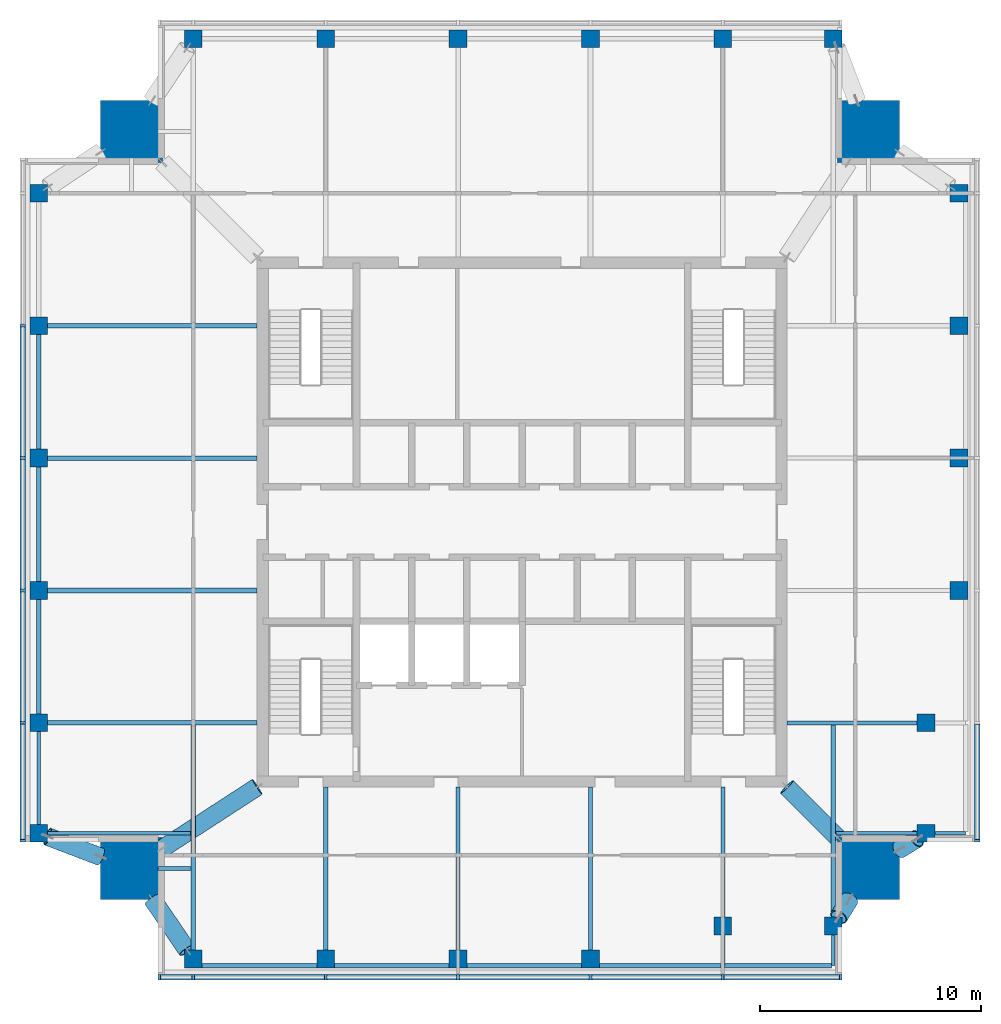
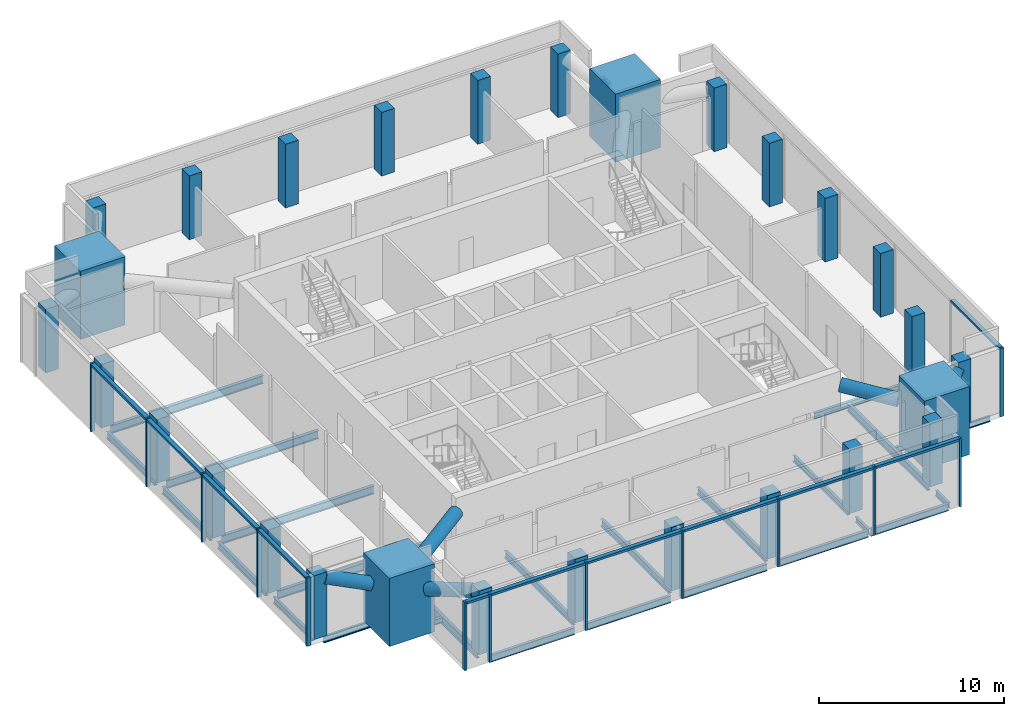
# One storey, part 1 of 11: 30 members, 28 columns, 26 beams, 3 elements without a shape of their own.
"""IFC4 building model written with IfcOpenShell, lengths in metres."""

from ifc_helpers import new_model, si_unit, direction, frame, origin, origin_2d, place, context, subcontext, project, spatial, rectangle, hollow_circle, i_section, extrude, material, material_profile, profile_set, type_object, element, aggregate, save


model = new_model("IFC4")

# Units and contexts
model_context = context("Model", 3, precision=1e-05, world=origin(), true_north=direction((0.0, 1.0)))
body_context = subcontext(model_context, "Body", "Model", "MODEL_VIEW")
ifc_project = project(units=[si_unit("LENGTHUNIT", "METRE"), si_unit("AREAUNIT", "SQUARE_METRE"), si_unit("VOLUMEUNIT", "CUBIC_METRE"), si_unit("PLANEANGLEUNIT", "RADIAN"), si_unit("MASSUNIT", "GRAM", prefix="KILO")], contexts=[model_context])

# Site, building, storey
site_placement = place(None, origin())
site = spatial("IfcSite", under=ifc_project, at=site_placement, CompositionType="ELEMENT")
building_placement = place(site_placement, origin())
building = spatial("IfcBuilding", under=site, at=building_placement, Name="Amberfall Residences", CompositionType="ELEMENT")
storey_placement = place(building_placement, frame((0.0, 0.0, 286.300048828125)))
storey = spatial("IfcBuildingStorey", under=building, at=storey_placement, Name="L77 Crown", CompositionType="ELEMENT", Elevation=286.300048828125)

# Columns
ifc_material_1 = material(Name="Concrete C50", Category="concrete")
ifc_material_profile_1 = material_profile(ifc_material_1, rectangle(XDim=0.800048828125, YDim=0.800048828125, at=origin_2d()), Name="Column 800 x 800 C50")
ifc_profile_set_1 = profile_set([ifc_material_profile_1], Name="Concrete C50")
column_type_1 = type_object("IfcColumnType", Name="Column 800 x 800 C50", PredefinedType="COLUMN", material=ifc_profile_set_1)
for number, where, z_axis, x_axis, name in (
    (1, (59.60009765625, 25.699951171875, 0.0), (0.0, 0.0, 1.0), (1.0, 0.0, 0.0), "Column C5 L77 Crown S1"),
    (2, (65.60009765625, 25.699951171875, 0.0), (0.0, 0.0, 1.0), (1.0, 0.0, 0.0), "Column C5 L77 Crown S2"),
    (3, (71.60009765625, 25.699951171875, 0.0), (0.0, 0.0, 1.0), (1.0, 0.0, 0.0), "Column C5 L77 Crown S3"),
    (4, (77.60009765625, 25.699951171875, 0.0), (0.0, 0.0, 1.0), (1.0, 0.0, 0.0), "Column C5 L77 Crown S4"),
    (5, (83.60009765625, 27.199951171875, 0.0), (0.0, 0.0, 1.0), (1.0, 0.0, 0.0), "Column C5 L77 Crown S5"),
    (6, (88.60009765625, 27.199951171875, 0.0), (0.0, 0.0, 1.0), (1.0, 0.0, 0.0), "Column C5 L77 Crown S6"),
    (7, (92.800048828125, 31.39990234375, 0.0), (0.0, 0.0, 1.0), (1.0, 0.0, 0.0), "Column C5 L77 Crown E1"),
    (8, (92.800048828125, 36.39990234375, 0.0), (0.0, 0.0, 1.0), (1.0, 0.0, 0.0), "Column C5 L77 Crown E2"),
    (9, (94.300048828125, 42.39990234375, 0.0), (0.0, 0.0, 1.0), (1.0, 0.0, 0.0), "Column C5 L77 Crown E3"),
    (10, (94.300048828125, 48.39990234375, 0.0), (0.0, 0.0, 1.0), (1.0, 0.0, 0.0), "Column C5 L77 Crown E4"),
    (11, (94.300048828125, 54.39990234375, 0.0), (0.0, 0.0, 1.0), (1.0, 0.0, 0.0), "Column C5 L77 Crown E5"),
    (12, (94.300048828125, 60.39990234375, 0.0), (0.0, 0.0, 1.0), (1.0, 0.0, 0.0), "Column C5 L77 Crown E6"),
    (13, (59.60009765625, 67.39990234375, 0.0), (0.0, 0.0, 1.0), (1.0, 0.0, 0.0), "Column C5 L77 Crown N1"),
    (14, (65.60009765625, 67.39990234375, 0.0), (0.0, 0.0, 1.0), (1.0, 0.0, 0.0), "Column C5 L77 Crown N2"),
    (15, (71.60009765625, 67.39990234375, 0.0), (0.0, 0.0, 1.0), (1.0, 0.0, 0.0), "Column C5 L77 Crown N3"),
    (16, (77.60009765625, 67.39990234375, 0.0), (0.0, 0.0, 1.0), (1.0, 0.0, 0.0), "Column C5 L77 Crown N4"),
    (17, (83.60009765625, 67.39990234375, 0.0), (0.0, 0.0, 1.0), (1.0, 0.0, 0.0), "Column C5 L77 Crown N5"),
    (18, (88.60009765625, 67.39990234375, 0.0), (0.0, 0.0, 1.0), (1.0, 0.0, 0.0), "Column C5 L77 Crown N6"),
    (19, (52.60009765625, 31.39990234375, 0.0), (0.0, 0.0, 1.0), (1.0, 0.0, 0.0), "Column C5 L77 Crown W1"),
    (20, (52.60009765625, 36.39990234375, 0.0), (0.0, 0.0, 1.0), (1.0, 0.0, 0.0), "Column C5 L77 Crown W2"),
    (21, (52.60009765625, 42.39990234375, 0.0), (0.0, 0.0, 1.0), (1.0, 0.0, 0.0), "Column C5 L77 Crown W3"),
    (22, (52.60009765625, 48.39990234375, 0.0), (0.0, 0.0, 1.0), (1.0, 0.0, 0.0), "Column C5 L77 Crown W4"),
    (23, (52.60009765625, 54.39990234375, 0.0), (0.0, 0.0, 1.0), (1.0, 0.0, 0.0), "Column C5 L77 Crown W5"),
    (24, (52.60009765625, 60.39990234375, 0.0), (0.0, 0.0, 1.0), (1.0, 0.0, 0.0), "Column C5 L77 Crown W6"),
):
    element("IfcColumn", number, at=place(storey_placement, frame(where, z_axis=z_axis, x_axis=x_axis)), inside=storey, type_object=column_type_1, Name=name, PredefinedType="COLUMN", context=body_context, shape_type="SweptSolid", body=[
        extrude(rectangle(XDim=0.800048828125, YDim=0.800048828125, at=origin_2d()), origin(), (0.0, 0.0, 1.0), 4.199951171875),
    ])
ifc_material_profile_2 = material_profile(ifc_material_1, rectangle(XDim=2.800048828125, YDim=2.800048828125, at=origin_2d()), Name="Mega capital 2800 x 2800 C50")
ifc_profile_set_2 = profile_set([ifc_material_profile_2], Name="Concrete C50")
column_type_2 = type_object("IfcColumnType", Name="Mega capital 2800 x 2800 C50", PredefinedType="COLUMN", material=ifc_profile_set_2)
for number, where, z_axis, x_axis, name in (
    (25, (56.800048828125, 29.800048828125, 0.0), (0.0, 0.0, 1.0), (1.0, 0.0, 0.0), "Mega capital MCP1 L77 Crown SW"),
    (26, (90.199951171875, 29.800048828125, 0.0), (0.0, 0.0, 1.0), (1.0, 0.0, 0.0), "Mega capital MCP1 L77 Crown SE"),
    (27, (90.199951171875, 63.199951171875, 0.0), (0.0, 0.0, 1.0), (1.0, 0.0, 0.0), "Mega capital MCP1 L77 Crown NE"),
    (28, (56.800048828125, 63.199951171875, 0.0), (0.0, 0.0, 1.0), (1.0, 0.0, 0.0), "Mega capital MCP1 L77 Crown NW"),
):
    element("IfcColumn", number, at=place(storey_placement, frame(where, z_axis=z_axis, x_axis=x_axis)), inside=storey, type_object=column_type_2, Name=name, PredefinedType="COLUMN", context=body_context, shape_type="SweptSolid", body=[
        extrude(rectangle(XDim=2.800048828125, YDim=2.800048828125, at=origin_2d()), origin(), (0.0, 0.0, 1.0), 4.5),
    ])

# Members
ifc_material_2 = material(Name="Steel S355", Category="steel")
ifc_material_profile_3 = material_profile(ifc_material_2, hollow_circle(Radius=0.406494140625, WallThickness=0.050048828125, at=origin_2d()), Name="CHS 813x50")
ifc_profile_set_3 = profile_set([ifc_material_profile_3], Name="Steel S355")
member_type_1 = type_object("IfcMemberType", Name="Belt truss diagonal BT CHS 813x50", PredefinedType="BRACE", material=ifc_profile_set_3)
member_1_placement = place(storey_placement, frame((57.756103515625, 28.39990234375, 3.0), z_axis=(0.544967582392, -0.797885394177, 0.257661079521), x_axis=(0.825767125082, 0.564011218979, 0.0)))
element("IfcMember", 29, at=member_1_placement, inside=storey, type_object=member_type_1, Name="Belt truss diagonal BT5 L77 Crown SWS", PredefinedType="BRACE", context=body_context, shape_type="SweptSolid", body=[
    extrude(hollow_circle(Radius=0.406494140625, WallThickness=0.050048828125, at=origin_2d()), origin(), (0.0, 0.0, 1.0), 2.88232421875),
])
member_2_placement = place(storey_placement, frame((55.39990234375, 30.333251953125, 3.0), z_axis=(-0.897697470437, 0.342001732125, 0.277802208044), x_axis=(-0.356015093317, -0.934480204889, 0.0)))
element("IfcMember", 30, at=member_2_placement, inside=storey, type_object=member_type_1, Name="Belt truss diagonal BT5 L77 Crown SWW", PredefinedType="BRACE", context=body_context, shape_type="SweptSolid", body=[
    extrude(hollow_circle(Radius=0.406494140625, WallThickness=0.050048828125, at=origin_2d()), origin(), (0.0, 0.0, 1.0), 2.67333984375),
])
for number, where, z_axis, x_axis, name in (
    (31, (89.33837890625, 28.39990234375, 3.0), (-0.411084609602, -0.668012490603, 0.620297312703), (0.851658316705, -0.524097425664, 0.0), "Belt truss diagonal BT5 L77 Crown SES"),
    (32, (91.60009765625, 30.66162109375, 3.0), (0.668012490603, 0.411084609602, 0.620297312703), (-0.524097425664, 0.851658316705, 0.0), "Belt truss diagonal BT5 L77 Crown SEE"),
):
    element("IfcMember", number, at=place(storey_placement, frame(where, z_axis=z_axis, x_axis=x_axis)), inside=storey, type_object=member_type_1, Name=name, PredefinedType="BRACE", context=body_context, shape_type="SweptSolid", body=[
        extrude(hollow_circle(Radius=0.406494140625, WallThickness=0.050048828125, at=origin_2d()), origin(), (0.0, 0.0, 1.0), 1.197265625),
    ])

# Curtain wall, members
ifc_material_3 = material(Name="Bronze anodised aluminium and glass", Category="aluminium")
curtain_wall_type = type_object("IfcCurtainWallType", Name="Curtain wall CW6 crown louvre", PredefinedType="USERDEFINED", material=ifc_material_3)
curtain_wall_1_placement = place(storey_placement, origin())
curtain_wall_1 = element("IfcCurtainWall", 33, at=curtain_wall_1_placement, inside=storey, type_object=curtain_wall_type, Name="Curtain wall L77 Crown S S1", ObjectType="UNITISED CURTAIN WALL", PredefinedType="USERDEFINED")
ifc_material_4 = material(Name="Bronze anodised aluminium", Category="aluminium")
ifc_material_profile_4 = material_profile(ifc_material_4, rectangle(XDim=0.25, YDim=0.1201171875, at=origin_2d()), Name="CW6 mullion 120 x 250 bronze")
ifc_profile_set_4 = profile_set([ifc_material_profile_4], Name="Bronze anodised aluminium")
member_type_2 = type_object("IfcMemberType", Name="CW6 mullion 120 x 250 bronze", PredefinedType="MULLION", material=ifc_profile_set_4)
member_3_placement = place(storey_placement, frame((58.06005859375, 24.875, -0.300048828125), z_axis=(0.0, 0.0, 1.0), x_axis=(0.0, 1.0, 0.0)))
member_3 = element("IfcMember", 34, at=member_3_placement, type_object=member_type_2, Name="CW6 mullion 1", PredefinedType="MULLION", context=body_context, shape_type="SweptSolid", body=[
    extrude(rectangle(XDim=0.25, YDim=0.1201171875, at=origin_2d()), origin(), (0.0, 0.0, 1.0), 4.5),
])
member_4_placement = place(storey_placement, frame((59.60009765625, 24.875, -0.300048828125), z_axis=(0.0, 0.0, 1.0), x_axis=(0.0, 1.0, 0.0)))
member_4 = element("IfcMember", 35, at=member_4_placement, type_object=member_type_2, Name="CW6 mullion 2", PredefinedType="MULLION", context=body_context, shape_type="SweptSolid", body=[
    extrude(rectangle(XDim=0.25, YDim=0.1201171875, at=origin_2d()), origin(), (0.0, 0.0, 1.0), 4.5),
])
member_5_placement = place(storey_placement, frame((65.60009765625, 24.875, -0.300048828125), z_axis=(0.0, 0.0, 1.0), x_axis=(0.0, 1.0, 0.0)))
member_5 = element("IfcMember", 36, at=member_5_placement, type_object=member_type_2, Name="CW6 mullion 3", PredefinedType="MULLION", context=body_context, shape_type="SweptSolid", body=[
    extrude(rectangle(XDim=0.25, YDim=0.1201171875, at=origin_2d()), origin(), (0.0, 0.0, 1.0), 4.5),
])
member_6_placement = place(storey_placement, frame((71.60009765625, 24.875, -0.300048828125), z_axis=(0.0, 0.0, 1.0), x_axis=(0.0, 1.0, 0.0)))
member_6 = element("IfcMember", 37, at=member_6_placement, type_object=member_type_2, Name="CW6 mullion 4", PredefinedType="MULLION", context=body_context, shape_type="SweptSolid", body=[
    extrude(rectangle(XDim=0.25, YDim=0.1201171875, at=origin_2d()), origin(), (0.0, 0.0, 1.0), 4.5),
])
member_7_placement = place(storey_placement, frame((77.60009765625, 24.875, -0.300048828125), z_axis=(0.0, 0.0, 1.0), x_axis=(0.0, 1.0, 0.0)))
member_7 = element("IfcMember", 38, at=member_7_placement, type_object=member_type_2, Name="CW6 mullion 5", PredefinedType="MULLION", context=body_context, shape_type="SweptSolid", body=[
    extrude(rectangle(XDim=0.25, YDim=0.1201171875, at=origin_2d()), origin(), (0.0, 0.0, 1.0), 4.5),
])
member_8_placement = place(storey_placement, frame((83.60009765625, 24.875, -0.300048828125), z_axis=(0.0, 0.0, 1.0), x_axis=(0.0, 1.0, 0.0)))
member_8 = element("IfcMember", 39, at=member_8_placement, type_object=member_type_2, Name="CW6 mullion 6", PredefinedType="MULLION", context=body_context, shape_type="SweptSolid", body=[
    extrude(rectangle(XDim=0.25, YDim=0.1201171875, at=origin_2d()), origin(), (0.0, 0.0, 1.0), 4.5),
])
member_9_placement = place(storey_placement, frame((88.93994140625, 24.875, -0.300048828125), z_axis=(0.0, 0.0, 1.0), x_axis=(0.0, 1.0, 0.0)))
member_9 = element("IfcMember", 40, at=member_9_placement, type_object=member_type_2, Name="CW6 mullion 7", PredefinedType="MULLION", context=body_context, shape_type="SweptSolid", body=[
    extrude(rectangle(XDim=0.25, YDim=0.1201171875, at=origin_2d()), origin(), (0.0, 0.0, 1.0), 4.5),
])

# Curtain wall, member
curtain_wall_2_placement = place(storey_placement, origin())
curtain_wall_2 = element("IfcCurtainWall", 41, at=curtain_wall_2_placement, inside=storey, type_object=curtain_wall_type, Name="Curtain wall L77 Crown E E1", ObjectType="UNITISED CURTAIN WALL", PredefinedType="USERDEFINED")
member_10_placement = place(storey_placement, frame((95.125, 31.06005859375, -0.300048828125), z_axis=(0.0, 0.0, 1.0), x_axis=(-1.0, 0.0, 0.0)))
member_10 = element("IfcMember", 42, at=member_10_placement, type_object=member_type_2, Name="CW6 mullion 1", PredefinedType="MULLION", context=body_context, shape_type="SweptSolid", body=[
    extrude(rectangle(XDim=0.25, YDim=0.1201171875, at=origin_2d()), origin(), (0.0, 0.0, 1.0), 4.5),
])

# Curtain wall, members
curtain_wall_3_placement = place(storey_placement, origin())
curtain_wall_3 = element("IfcCurtainWall", 43, at=curtain_wall_3_placement, inside=storey, type_object=curtain_wall_type, Name="Curtain wall L77 Crown W W1", ObjectType="UNITISED CURTAIN WALL", PredefinedType="USERDEFINED")
member_11_placement = place(storey_placement, frame((51.875, 54.39990234375, -0.300048828125), z_axis=(0.0, 0.0, 1.0), x_axis=(1.0, 0.0, 0.0)))
member_11 = element("IfcMember", 44, at=member_11_placement, type_object=member_type_2, Name="CW6 mullion 3", PredefinedType="MULLION", context=body_context, shape_type="SweptSolid", body=[
    extrude(rectangle(XDim=0.25, YDim=0.1201171875, at=origin_2d()), origin(), (0.0, 0.0, 1.0), 4.5),
])
member_12_placement = place(storey_placement, frame((51.875, 48.39990234375, -0.300048828125), z_axis=(0.0, 0.0, 1.0), x_axis=(1.0, 0.0, 0.0)))
member_12 = element("IfcMember", 45, at=member_12_placement, type_object=member_type_2, Name="CW6 mullion 4", PredefinedType="MULLION", context=body_context, shape_type="SweptSolid", body=[
    extrude(rectangle(XDim=0.25, YDim=0.1201171875, at=origin_2d()), origin(), (0.0, 0.0, 1.0), 4.5),
])
member_13_placement = place(storey_placement, frame((51.875, 42.39990234375, -0.300048828125), z_axis=(0.0, 0.0, 1.0), x_axis=(1.0, 0.0, 0.0)))
member_13 = element("IfcMember", 46, at=member_13_placement, type_object=member_type_2, Name="CW6 mullion 5", PredefinedType="MULLION", context=body_context, shape_type="SweptSolid", body=[
    extrude(rectangle(XDim=0.25, YDim=0.1201171875, at=origin_2d()), origin(), (0.0, 0.0, 1.0), 4.5),
])
member_14_placement = place(storey_placement, frame((51.875, 36.39990234375, -0.300048828125), z_axis=(0.0, 0.0, 1.0), x_axis=(1.0, 0.0, 0.0)))
member_14 = element("IfcMember", 47, at=member_14_placement, type_object=member_type_2, Name="CW6 mullion 6", PredefinedType="MULLION", context=body_context, shape_type="SweptSolid", body=[
    extrude(rectangle(XDim=0.25, YDim=0.1201171875, at=origin_2d()), origin(), (0.0, 0.0, 1.0), 4.5),
])
member_15_placement = place(storey_placement, frame((51.875, 31.06005859375, -0.300048828125), z_axis=(0.0, 0.0, 1.0), x_axis=(1.0, 0.0, 0.0)))
member_15 = element("IfcMember", 48, at=member_15_placement, type_object=member_type_2, Name="CW6 mullion 7", PredefinedType="MULLION", context=body_context, shape_type="SweptSolid", body=[
    extrude(rectangle(XDim=0.25, YDim=0.1201171875, at=origin_2d()), origin(), (0.0, 0.0, 1.0), 4.5),
])

# Member
ifc_material_profile_5 = material_profile(ifc_material_4, rectangle(XDim=0.25, YDim=0.14990234375, at=origin_2d()), Name="CW6 transom 250 x 150 bronze")
ifc_profile_set_5 = profile_set([ifc_material_profile_5], Name="Bronze anodised aluminium")
member_type_3 = type_object("IfcMemberType", Name="CW6 transom 250 x 150 bronze", PredefinedType="USERDEFINED", material=ifc_profile_set_5)
member_16_placement = place(storey_placement, frame((58.1201171875, 24.875, 4.125), z_axis=(1.0, 0.0, 0.0), x_axis=(0.0, 1.0, 0.0)))
member_16 = element("IfcMember", 49, at=member_16_placement, type_object=member_type_3, Name="CW6 transom 1.1", ObjectType="TRANSOM", PredefinedType="USERDEFINED", context=body_context, shape_type="SweptSolid", body=[
    extrude(rectangle(XDim=0.25, YDim=0.14990234375, at=origin_2d()), origin(), (0.0, 0.0, 1.0), 1.419921875),
])

member_17_placement = place(storey_placement, frame((59.659912109375, 24.875, 4.125), z_axis=(1.0, 0.0, 0.0), x_axis=(0.0, 1.0, 0.0)))
member_17 = element("IfcMember", 50, at=member_17_placement, type_object=member_type_3, Name="CW6 transom 2.1", ObjectType="TRANSOM", PredefinedType="USERDEFINED", context=body_context, shape_type="SweptSolid", body=[
    extrude(rectangle(XDim=0.25, YDim=0.14990234375, at=origin_2d()), origin(), (0.0, 0.0, 1.0), 5.880126953125),
])

member_18_placement = place(storey_placement, frame((65.659912109375, 24.875, 4.125), z_axis=(1.0, 0.0, 0.0), x_axis=(0.0, 1.0, 0.0)))
member_18 = element("IfcMember", 51, at=member_18_placement, type_object=member_type_3, Name="CW6 transom 3.1", ObjectType="TRANSOM", PredefinedType="USERDEFINED", context=body_context, shape_type="SweptSolid", body=[
    extrude(rectangle(XDim=0.25, YDim=0.14990234375, at=origin_2d()), origin(), (0.0, 0.0, 1.0), 5.880126953125),
])

member_19_placement = place(storey_placement, frame((71.659912109375, 24.875, 4.125), z_axis=(1.0, 0.0, 0.0), x_axis=(0.0, 1.0, 0.0)))
member_19 = element("IfcMember", 52, at=member_19_placement, type_object=member_type_3, Name="CW6 transom 4.1", ObjectType="TRANSOM", PredefinedType="USERDEFINED", context=body_context, shape_type="SweptSolid", body=[
    extrude(rectangle(XDim=0.25, YDim=0.14990234375, at=origin_2d()), origin(), (0.0, 0.0, 1.0), 5.880126953125),
])

member_20_placement = place(storey_placement, frame((77.659912109375, 24.875, 4.125), z_axis=(1.0, 0.0, 0.0), x_axis=(0.0, 1.0, 0.0)))
member_20 = element("IfcMember", 53, at=member_20_placement, type_object=member_type_3, Name="CW6 transom 5.1", ObjectType="TRANSOM", PredefinedType="USERDEFINED", context=body_context, shape_type="SweptSolid", body=[
    extrude(rectangle(XDim=0.25, YDim=0.14990234375, at=origin_2d()), origin(), (0.0, 0.0, 1.0), 5.880126953125),
])

member_21_placement = place(storey_placement, frame((83.659912109375, 24.875, 4.125), z_axis=(1.0, 0.0, 0.0), x_axis=(0.0, 1.0, 0.0)))
member_21 = element("IfcMember", 54, at=member_21_placement, type_object=member_type_3, Name="CW6 transom 6.1", ObjectType="TRANSOM", PredefinedType="USERDEFINED", context=body_context, shape_type="SweptSolid", body=[
    extrude(rectangle(XDim=0.25, YDim=0.14990234375, at=origin_2d()), origin(), (0.0, 0.0, 1.0), 5.219970703125),
])

aggregate(curtain_wall_1, [member_3, member_4, member_5, member_6, member_7, member_8, member_9, member_16, member_17, member_18, member_19, member_20, member_21])

member_22_placement = place(storey_placement, frame((95.125, 31.1201171875, 4.125), z_axis=(0.0, 1.0, 0.0), x_axis=(-1.0, 0.0, 0.0)))
member_22 = element("IfcMember", 55, at=member_22_placement, type_object=member_type_3, Name="CW6 transom 1.1", ObjectType="TRANSOM", PredefinedType="USERDEFINED", context=body_context, shape_type="SweptSolid", body=[
    extrude(rectangle(XDim=0.25, YDim=0.14990234375, at=origin_2d()), origin(), (0.0, 0.0, 1.0), 5.219970703125),
])

aggregate(curtain_wall_2, [member_10, member_22])

member_23_placement = place(storey_placement, frame((51.875, 54.340087890625, 4.125), z_axis=(0.0, -1.0, 0.0), x_axis=(1.0, 0.0, 0.0)))
member_23 = element("IfcMember", 56, at=member_23_placement, type_object=member_type_3, Name="CW6 transom 3.1", ObjectType="TRANSOM", PredefinedType="USERDEFINED", context=body_context, shape_type="SweptSolid", body=[
    extrude(rectangle(XDim=0.25, YDim=0.14990234375, at=origin_2d()), origin(), (0.0, 0.0, 1.0), 5.880126953125),
])

member_24_placement = place(storey_placement, frame((51.875, 48.340087890625, 4.125), z_axis=(0.0, -1.0, 0.0), x_axis=(1.0, 0.0, 0.0)))
member_24 = element("IfcMember", 57, at=member_24_placement, type_object=member_type_3, Name="CW6 transom 4.1", ObjectType="TRANSOM", PredefinedType="USERDEFINED", context=body_context, shape_type="SweptSolid", body=[
    extrude(rectangle(XDim=0.25, YDim=0.14990234375, at=origin_2d()), origin(), (0.0, 0.0, 1.0), 5.880126953125),
])

member_25_placement = place(storey_placement, frame((51.875, 42.340087890625, 4.125), z_axis=(0.0, -1.0, 0.0), x_axis=(1.0, 0.0, 0.0)))
member_25 = element("IfcMember", 58, at=member_25_placement, type_object=member_type_3, Name="CW6 transom 5.1", ObjectType="TRANSOM", PredefinedType="USERDEFINED", context=body_context, shape_type="SweptSolid", body=[
    extrude(rectangle(XDim=0.25, YDim=0.14990234375, at=origin_2d()), origin(), (0.0, 0.0, 1.0), 5.880126953125),
])

member_26_placement = place(storey_placement, frame((51.875, 36.340087890625, 4.125), z_axis=(0.0, -1.0, 0.0), x_axis=(1.0, 0.0, 0.0)))
member_26 = element("IfcMember", 59, at=member_26_placement, type_object=member_type_3, Name="CW6 transom 6.1", ObjectType="TRANSOM", PredefinedType="USERDEFINED", context=body_context, shape_type="SweptSolid", body=[
    extrude(rectangle(XDim=0.25, YDim=0.14990234375, at=origin_2d()), origin(), (0.0, 0.0, 1.0), 5.219970703125),
])

aggregate(curtain_wall_3, [member_11, member_12, member_13, member_14, member_15, member_23, member_24, member_25, member_26])

# Beams
ifc_material_profile_6 = material_profile(ifc_material_2, i_section(OverallWidth=0.171142578125, OverallDepth=0.351318359375, WebThickness=0.007080078125, FlangeThickness=0.009765625, FilletRadius=0.01025390625, at=origin_2d()), Name="UB 356x171x45")
ifc_profile_set_6 = profile_set([ifc_material_profile_6], Name="Steel S355")
beam_type_1 = type_object("IfcBeamType", Name="Cantilever girder UB 356x171x45", PredefinedType="BEAM", material=ifc_profile_set_6)
for number, where, z_axis, x_axis, name in (
    (60, (83.60009765625, 26.800048828125, -0.475830078125), (0.0, -1.0, 0.0), (1.0, 0.0, 0.0), "Cantilever girder B8 L77 Crown 06"),
    (61, (88.60009765625, 26.800048828125, -0.475830078125), (0.0, -1.0, 0.0), (1.0, 0.0, 0.0), "Cantilever girder B8 L77 Crown 07"),
    (62, (93.199951171875, 31.39990234375, -0.475830078125), (1.0, 0.0, 0.0), (0.0, 1.0, 0.0), "Cantilever girder B8 L77 Crown 19"),
):
    element("IfcBeam", number, at=place(storey_placement, frame(where, z_axis=z_axis, x_axis=x_axis)), inside=storey, type_object=beam_type_1, Name=name, PredefinedType="BEAM", context=body_context, shape_type="SweptSolid", body=[
        extrude(i_section(OverallWidth=0.171142578125, OverallDepth=0.351318359375, WebThickness=0.007080078125, FlangeThickness=0.009765625, FilletRadius=0.01025390625, at=origin_2d()), origin(), (0.0, 0.0, 1.0), 1.400146484375),
    ])
ifc_material_profile_7 = material_profile(ifc_material_2, i_section(OverallWidth=0.177734375, OverallDepth=0.402587890625, WebThickness=0.0078125, FlangeThickness=0.010986328125, FilletRadius=0.01025390625, at=origin_2d()), Name="UB 406x178x54")
ifc_profile_set_7 = profile_set([ifc_material_profile_7], Name="Steel S355")
beam_type_2 = type_object("IfcBeamType", Name="Edge beam UB 406x178x54", PredefinedType="SPANDREL", material=ifc_profile_set_7)
beam_1_placement = place(storey_placement, frame((52.60009765625, 31.800048828125, -0.50146484375), z_axis=(0.0, 1.0, 0.0), x_axis=(-1.0, 0.0, 0.0)))
element("IfcBeam", 63, at=beam_1_placement, inside=storey, type_object=beam_type_2, Name="Edge beam B14 L77 Crown 38", PredefinedType="SPANDREL", context=body_context, shape_type="SweptSolid", body=[
    extrude(i_section(OverallWidth=0.177734375, OverallDepth=0.402587890625, WebThickness=0.0078125, FlangeThickness=0.010986328125, FilletRadius=0.01025390625, at=origin_2d()), origin(), (0.0, 0.0, 1.0), 4.199951171875),
])
ifc_material_profile_8 = material_profile(ifc_material_2, i_section(OverallWidth=0.18994140625, OverallDepth=0.453369140625, WebThickness=0.008544921875, FlangeThickness=0.0126953125, FilletRadius=0.01025390625, at=origin_2d()), Name="UB 457x191x67")
ifc_profile_set_8 = profile_set([ifc_material_profile_8], Name="Steel S355")
beam_type_3 = type_object("IfcBeamType", Name="Edge beam UB 457x191x67", PredefinedType="SPANDREL", material=ifc_profile_set_8)
for number, where, z_axis, x_axis, name in (
    (64, (60.0, 25.39990234375, -0.52685546875), (1.0, 0.0, 0.0), (0.0, 1.0, 0.0), "Edge beam B1 L77 Crown 01"),
    (65, (66.0, 25.39990234375, -0.52685546875), (1.0, 0.0, 0.0), (0.0, 1.0, 0.0), "Edge beam B1 L77 Crown 02"),
    (66, (72.0, 25.39990234375, -0.52685546875), (1.0, 0.0, 0.0), (0.0, 1.0, 0.0), "Edge beam B1 L77 Crown 03"),
):
    element("IfcBeam", number, at=place(storey_placement, frame(where, z_axis=z_axis, x_axis=x_axis)), inside=storey, type_object=beam_type_3, Name=name, PredefinedType="SPANDREL", context=body_context, shape_type="SweptSolid", body=[
        extrude(i_section(OverallWidth=0.18994140625, OverallDepth=0.453369140625, WebThickness=0.008544921875, FlangeThickness=0.0126953125, FilletRadius=0.01025390625, at=origin_2d()), origin(), (0.0, 0.0, 1.0), 5.199951171875),
    ])
beam_2_placement = place(storey_placement, frame((78.0, 25.39990234375, -0.52685546875), z_axis=(1.0, 0.0, 0.0), x_axis=(0.0, 1.0, 0.0)))
element("IfcBeam", 67, at=beam_2_placement, inside=storey, type_object=beam_type_3, Name="Edge beam B1 L77 Crown 04", PredefinedType="SPANDREL", context=body_context, shape_type="SweptSolid", body=[
    extrude(i_section(OverallWidth=0.18994140625, OverallDepth=0.453369140625, WebThickness=0.008544921875, FlangeThickness=0.0126953125, FilletRadius=0.01025390625, at=origin_2d()), origin(), (0.0, 0.0, 1.0), 5.52001953125),
])
beam_3_placement = place(storey_placement, frame((83.679931640625, 25.39990234375, -0.52685546875), z_axis=(1.0, 0.0, 0.0), x_axis=(0.0, 1.0, 0.0)))
element("IfcBeam", 68, at=beam_3_placement, inside=storey, type_object=beam_type_3, Name="Edge beam B1 L77 Crown 05", PredefinedType="SPANDREL", context=body_context, shape_type="SweptSolid", body=[
    extrude(i_section(OverallWidth=0.18994140625, OverallDepth=0.453369140625, WebThickness=0.008544921875, FlangeThickness=0.0126953125, FilletRadius=0.01025390625, at=origin_2d()), origin(), (0.0, 0.0, 1.0), 4.840087890625),
])
for number, where, z_axis, x_axis, name in (
    (69, (52.60009765625, 36.800048828125, -0.52685546875), (0.0, 1.0, 0.0), (-1.0, 0.0, 0.0), "Edge beam B1 L77 Crown 39"),
    (70, (52.60009765625, 42.800048828125, -0.52685546875), (0.0, 1.0, 0.0), (-1.0, 0.0, 0.0), "Edge beam B1 L77 Crown 40"),
    (71, (52.60009765625, 48.800048828125, -0.52685546875), (0.0, 1.0, 0.0), (-1.0, 0.0, 0.0), "Edge beam B1 L77 Crown 41"),
):
    element("IfcBeam", number, at=place(storey_placement, frame(where, z_axis=z_axis, x_axis=x_axis)), inside=storey, type_object=beam_type_3, Name=name, PredefinedType="SPANDREL", context=body_context, shape_type="SweptSolid", body=[
        extrude(i_section(OverallWidth=0.18994140625, OverallDepth=0.453369140625, WebThickness=0.008544921875, FlangeThickness=0.0126953125, FilletRadius=0.01025390625, at=origin_2d()), origin(), (0.0, 0.0, 1.0), 5.199951171875),
    ])
ifc_material_profile_9 = material_profile(ifc_material_2, i_section(OverallWidth=0.171142578125, OverallDepth=0.351318359375, WebThickness=0.007080078125, FlangeThickness=0.009765625, FilletRadius=0.01025390625, at=origin_2d()), Name="UB 356x171x45")
ifc_profile_set_9 = profile_set([ifc_material_profile_9], Name="Steel S355")
beam_type_4 = type_object("IfcBeamType", Name="Floor girder UB 356x171x45", PredefinedType="BEAM", material=ifc_profile_set_9)
beam_4_placement = place(storey_placement, frame((92.39990234375, 31.39990234375, -0.475830078125), z_axis=(-1.0, 0.0, 0.0), x_axis=(0.0, -1.0, 0.0)))
element("IfcBeam", 72, at=beam_4_placement, inside=storey, type_object=beam_type_4, Name="Floor girder B11 L77 Crown 21", PredefinedType="BEAM", context=body_context, shape_type="SweptSolid", body=[
    extrude(i_section(OverallWidth=0.171142578125, OverallDepth=0.351318359375, WebThickness=0.007080078125, FlangeThickness=0.009765625, FilletRadius=0.01025390625, at=origin_2d()), origin(), (0.0, 0.0, 1.0), 3.679931640625),
])
ifc_material_profile_10 = material_profile(ifc_material_2, i_section(OverallWidth=0.177734375, OverallDepth=0.402587890625, WebThickness=0.0078125, FlangeThickness=0.010986328125, FilletRadius=0.01025390625, at=origin_2d()), Name="UB 406x178x54")
ifc_profile_set_10 = profile_set([ifc_material_profile_10], Name="Steel S355")
beam_type_5 = type_object("IfcBeamType", Name="Floor girder UB 406x178x54", PredefinedType="BEAM", material=ifc_profile_set_10)
for number, where, z_axis, x_axis, name in (
    (73, (83.60009765625, 27.60009765625, -0.50146484375), (0.0, 1.0, 0.0), (-1.0, 0.0, 0.0), "Floor girder B4 L77 Crown 12"),
    (74, (92.39990234375, 36.39990234375, -0.50146484375), (-1.0, 0.0, 0.0), (0.0, -1.0, 0.0), "Floor girder B4 L77 Crown 22"),
):
    element("IfcBeam", number, at=place(storey_placement, frame(where, z_axis=z_axis, x_axis=x_axis)), inside=storey, type_object=beam_type_5, Name=name, PredefinedType="BEAM", context=body_context, shape_type="SweptSolid", body=[
        extrude(i_section(OverallWidth=0.177734375, OverallDepth=0.402587890625, WebThickness=0.0078125, FlangeThickness=0.010986328125, FilletRadius=0.01025390625, at=origin_2d()), origin(), (0.0, 0.0, 1.0), 5.89990234375),
    ])
beam_5_placement = place(storey_placement, frame((53.0, 31.39990234375, -0.50146484375), z_axis=(1.0, 0.0, 0.0), x_axis=(0.0, 1.0, 0.0)))
element("IfcBeam", 75, at=beam_5_placement, inside=storey, type_object=beam_type_5, Name="Floor girder B4 L77 Crown 43", PredefinedType="BEAM", context=body_context, shape_type="SweptSolid", body=[
    extrude(i_section(OverallWidth=0.177734375, OverallDepth=0.402587890625, WebThickness=0.0078125, FlangeThickness=0.010986328125, FilletRadius=0.01025390625, at=origin_2d()), origin(), (0.0, 0.0, 1.0), 6.47998046875),
])
ifc_material_profile_11 = material_profile(ifc_material_2, i_section(OverallWidth=0.19140625, OverallDepth=0.4599609375, WebThickness=0.010009765625, FlangeThickness=0.01611328125, FilletRadius=0.01025390625, at=origin_2d()), Name="UB 457x191x82")
ifc_profile_set_11 = profile_set([ifc_material_profile_11], Name="Steel S355")
beam_type_6 = type_object("IfcBeamType", Name="Floor girder UB 457x191x82", PredefinedType="BEAM", material=ifc_profile_set_11)
for number, where, z_axis, x_axis, name in (
    (76, (65.60009765625, 26.10009765625, -0.530029296875), (0.0, 1.0, 0.0), (-1.0, 0.0, 0.0), "Floor girder B10 L77 Crown 09"),
    (77, (71.60009765625, 26.10009765625, -0.530029296875), (0.0, 1.0, 0.0), (-1.0, 0.0, 0.0), "Floor girder B10 L77 Crown 10"),
    (78, (77.60009765625, 26.10009765625, -0.530029296875), (0.0, 1.0, 0.0), (-1.0, 0.0, 0.0), "Floor girder B10 L77 Crown 11"),
):
    element("IfcBeam", number, at=place(storey_placement, frame(where, z_axis=z_axis, x_axis=x_axis)), inside=storey, type_object=beam_type_6, Name=name, PredefinedType="BEAM", context=body_context, shape_type="SweptSolid", body=[
        extrude(i_section(OverallWidth=0.19140625, OverallDepth=0.4599609375, WebThickness=0.010009765625, FlangeThickness=0.01611328125, FilletRadius=0.01025390625, at=origin_2d()), origin(), (0.0, 0.0, 1.0), 7.39990234375),
    ])
ifc_material_profile_12 = material_profile(ifc_material_2, i_section(OverallWidth=0.209228515625, OverallDepth=0.533203125, WebThickness=0.010009765625, FlangeThickness=0.015625, FilletRadius=0.0126953125, at=origin_2d()), Name="UB 533x210x92")
ifc_profile_set_12 = profile_set([ifc_material_profile_12], Name="Steel S355")
beam_type_7 = type_object("IfcBeamType", Name="Floor girder UB 533x210x92", PredefinedType="BEAM", material=ifc_profile_set_12)
beam_6_placement = place(storey_placement, frame((59.60009765625, 26.10009765625, -0.566650390625), z_axis=(0.0, 1.0, 0.0), x_axis=(-1.0, 0.0, 0.0)))
element("IfcBeam", 79, at=beam_6_placement, inside=storey, type_object=beam_type_7, Name="Floor girder B3 L77 Crown 08", PredefinedType="BEAM", context=body_context, shape_type="SweptSolid", body=[
    extrude(i_section(OverallWidth=0.209228515625, OverallDepth=0.533203125, WebThickness=0.010009765625, FlangeThickness=0.015625, FilletRadius=0.0126953125, at=origin_2d()), origin(), (0.0, 0.0, 1.0), 10.2001953125),
])
beam_7_placement = place(storey_placement, frame((88.60009765625, 27.60009765625, -0.566650390625), z_axis=(0.0, 1.0, 0.0), x_axis=(-1.0, 0.0, 0.0)))
element("IfcBeam", 80, at=beam_7_placement, inside=storey, type_object=beam_type_7, Name="Floor girder B3 L77 Crown 13", PredefinedType="BEAM", context=body_context, shape_type="SweptSolid", body=[
    extrude(i_section(OverallWidth=0.209228515625, OverallDepth=0.533203125, WebThickness=0.010009765625, FlangeThickness=0.015625, FilletRadius=0.0126953125, at=origin_2d()), origin(), (0.0, 0.0, 1.0), 8.716064453125),
])
for number, where, z_axis, x_axis, name in (
    (81, (53.0, 36.39990234375, -0.566650390625), (1.0, 0.0, 0.0), (0.0, 1.0, 0.0), "Floor girder B3 L77 Crown 44"),
    (82, (53.0, 42.39990234375, -0.566650390625), (1.0, 0.0, 0.0), (0.0, 1.0, 0.0), "Floor girder B3 L77 Crown 45"),
    (83, (53.0, 48.39990234375, -0.566650390625), (1.0, 0.0, 0.0), (0.0, 1.0, 0.0), "Floor girder B3 L77 Crown 46"),
    (84, (53.0, 54.39990234375, -0.566650390625), (1.0, 0.0, 0.0), (0.0, 1.0, 0.0), "Floor girder B3 L77 Crown 47"),
):
    element("IfcBeam", number, at=place(storey_placement, frame(where, z_axis=z_axis, x_axis=x_axis)), inside=storey, type_object=beam_type_7, Name=name, PredefinedType="BEAM", context=body_context, shape_type="SweptSolid", body=[
        extrude(i_section(OverallWidth=0.209228515625, OverallDepth=0.533203125, WebThickness=0.010009765625, FlangeThickness=0.015625, FilletRadius=0.0126953125, at=origin_2d()), origin(), (0.0, 0.0, 1.0), 9.5),
    ])

# Members
ifc_material_profile_13 = material_profile(ifc_material_2, hollow_circle(Radius=0.406494140625, WallThickness=0.050048828125, at=origin_2d()), Name="CHS 813x50")
ifc_profile_set_13 = profile_set([ifc_material_profile_13], Name="Steel S355")
member_type_4 = type_object("IfcMemberType", Name="Hat truss diagonal HT CHS 813x50", PredefinedType="BRACE", material=ifc_profile_set_13)
member_27_placement = place(storey_placement, frame((58.199951171875, 30.708740234375, 2.89990234375), z_axis=(0.836236195234, 0.54281998638, 0.077817017203), x_axis=(-0.544471008486, 0.838779661722, 0.0)))
element("IfcMember", 85, at=member_27_placement, inside=storey, type_object=member_type_4, Name="Hat truss diagonal HT1 L77 Crown SW", PredefinedType="BRACE", context=body_context, shape_type="SweptSolid", body=[
    extrude(hollow_circle(Radius=0.406494140625, WallThickness=0.050048828125, at=origin_2d()), origin(), (0.0, 0.0, 1.0), 5.14208984375),
])
member_28_placement = place(storey_placement, frame((88.800048828125, 31.199951171875, 2.89990234375), z_axis=(-0.70181631991, 0.70181631991, 0.122097117963), x_axis=(-0.707106781187, -0.707106781187, 0.0)))
element("IfcMember", 86, at=member_28_placement, inside=storey, type_object=member_type_4, Name="Hat truss diagonal HT1 L77 Crown SE", PredefinedType="BRACE", context=body_context, shape_type="SweptSolid", body=[
    extrude(hollow_circle(Radius=0.406494140625, WallThickness=0.050048828125, at=origin_2d()), origin(), (0.0, 0.0, 1.0), 3.27734375),
])

# Beam
ifc_material_profile_14 = material_profile(ifc_material_2, i_section(OverallWidth=0.171142578125, OverallDepth=0.351318359375, WebThickness=0.007080078125, FlangeThickness=0.009765625, FilletRadius=0.01025390625, at=origin_2d()), Name="UB 356x171x45")
ifc_profile_set_14 = profile_set([ifc_material_profile_14], Name="Steel S355")
beam_type_8 = type_object("IfcBeamType", Name="Link beam UB 356x171x45", PredefinedType="BEAM", material=ifc_profile_set_14)
beam_8_placement = place(storey_placement, frame((58.0, 29.800048828125, -0.475830078125), z_axis=(1.0, 0.0, 0.0), x_axis=(0.0, 1.0, 0.0)))
element("IfcBeam", 87, at=beam_8_placement, inside=storey, type_object=beam_type_8, Name="Link beam B7 L77 Crown 49", PredefinedType="BEAM", context=body_context, shape_type="SweptSolid", body=[
    extrude(i_section(OverallWidth=0.171142578125, OverallDepth=0.351318359375, WebThickness=0.007080078125, FlangeThickness=0.009765625, FilletRadius=0.01025390625, at=origin_2d()), origin(), (0.0, 0.0, 1.0), 1.50537109375),
])

save(model, "model.ifc")
